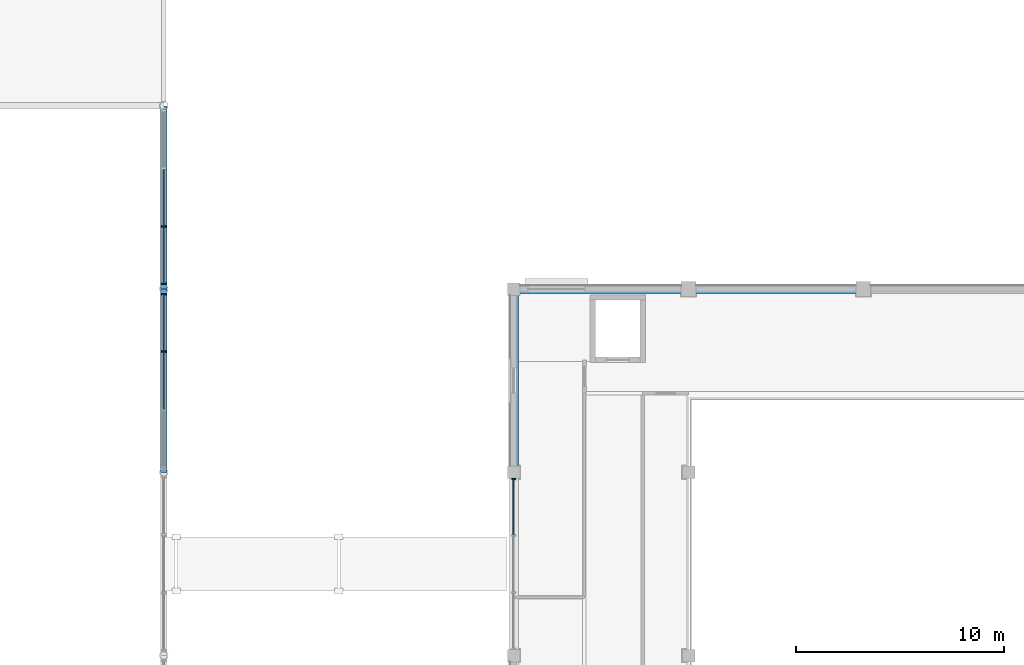
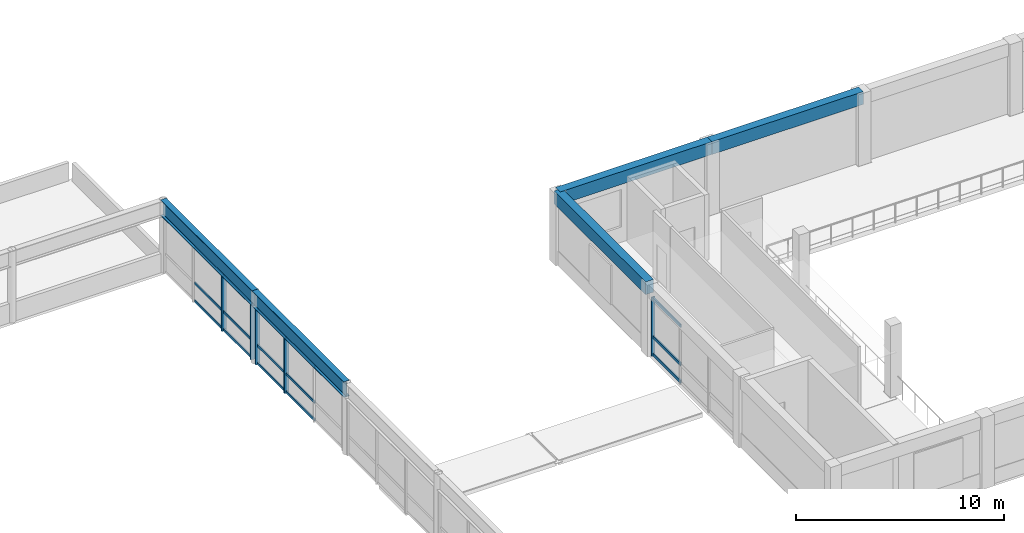
# One storey, part 8 of 46: 20 members, 5 beams, 3 elements without a shape of their own.
"""IFC4 building model written with IfcOpenShell, lengths in metres."""

from ifc_helpers import new_model, si_unit, direction, frame, origin, origin_2d, place, context, subcontext, project, spatial, rectangle, i_section, extrude, material, material_profile, profile_set, type_object, element, aggregate, save


model = new_model("IFC4")

# Units and contexts
model_context = context("Model", 3, precision=1e-05, world=origin(), true_north=direction((0.0, 1.0)))
body_context = subcontext(model_context, "Body", "Model", "MODEL_VIEW")
ifc_project = project(units=[si_unit("LENGTHUNIT", "METRE"), si_unit("AREAUNIT", "SQUARE_METRE"), si_unit("VOLUMEUNIT", "CUBIC_METRE"), si_unit("PLANEANGLEUNIT", "RADIAN"), si_unit("MASSUNIT", "GRAM", prefix="KILO")], contexts=[model_context])

# Site, building, storey
site_placement = place(None, origin())
site = spatial("IfcSite", under=ifc_project, at=site_placement, CompositionType="ELEMENT")
building_placement = place(site_placement, origin())
building = spatial("IfcBuilding", under=site, at=building_placement, Name="Kemercrest Conservatory and Botanical Centre", CompositionType="ELEMENT")
storey_placement = place(building_placement, frame((0.0, 0.0, 9.0)))
storey = spatial("IfcBuildingStorey", under=building, at=storey_placement, Name="L02", CompositionType="ELEMENT", Elevation=9.0)

# Curtain wall, member
ifc_material_1 = material(Name="Thermally broken aluminium and triple low-e glazing", Category="aluminium")
curtain_wall_type_1 = type_object("IfcCurtainWallType", Name="CW-30", PredefinedType="USERDEFINED", material=ifc_material_1)
curtain_wall_1_placement = place(storey_placement, origin())
curtain_wall_1 = element("IfcCurtainWall", 1, at=curtain_wall_1_placement, inside=storey, type_object=curtain_wall_type_1, Name="Unitised curtain wall CW-30 (CW:L02:V2-029)", ObjectType="UNITISED CURTAIN WALL", PredefinedType="USERDEFINED")
ifc_material_2 = material(Name="Thermally broken anodized aluminium 6063-T6", Category="aluminium")
ifc_material_profile_1 = material_profile(ifc_material_2, rectangle(XDim=0.199951171875, YDim=0.06494140625, at=origin_2d()), Name="AL MULLION 65x200")
ifc_profile_set_1 = profile_set([ifc_material_profile_1], Name="Thermally broken anodized aluminium 6063-T6")
member_type_1 = type_object("IfcMemberType", Name="CW-M200", PredefinedType="MULLION", material=ifc_profile_set_1)
member_1_placement = place(storey_placement, frame((58.39990234375, 34.072509765625, 0.0), z_axis=(0.0, 0.0, 1.0), x_axis=(1.0, 0.0, 0.0)))
member_1 = element("IfcMember", 2, at=member_1_placement, type_object=member_type_1, Name="CW-30 mullion 1", PredefinedType="MULLION", context=body_context, shape_type="SweptSolid", body=[
    extrude(rectangle(XDim=0.199951171875, YDim=0.06494140625, at=origin_2d()), origin(), (0.0, 0.0, 1.0), 3.455078125),
])

# Curtain wall, members
curtain_wall_type_2 = type_object("IfcCurtainWallType", Name="CW-24", PredefinedType="USERDEFINED", material=ifc_material_1)
curtain_wall_2_placement = place(storey_placement, origin())
curtain_wall_2 = element("IfcCurtainWall", 3, at=curtain_wall_2_placement, inside=storey, type_object=curtain_wall_type_2, Name="Unitised curtain wall CW-24 (CW:L02:V1-023)", ObjectType="UNITISED CURTAIN WALL", PredefinedType="USERDEFINED")
ifc_material_profile_2 = material_profile(ifc_material_2, rectangle(XDim=0.239990234375, YDim=0.074951171875, at=origin_2d()), Name="AL MULLION 75x240")
ifc_profile_set_2 = profile_set([ifc_material_profile_2], Name="Thermally broken anodized aluminium 6063-T6")
member_type_2 = type_object("IfcMemberType", Name="CW-M225", PredefinedType="MULLION", material=ifc_profile_set_2)
member_2_placement = place(storey_placement, frame((41.60009765625, 40.199951171875, 0.0), z_axis=(0.0, 0.0, 1.0), x_axis=(-1.0, 0.0, 0.0)))
member_2 = element("IfcMember", 4, at=member_2_placement, type_object=member_type_2, Name="CW-24 mullion 3", PredefinedType="MULLION", context=body_context, shape_type="SweptSolid", body=[
    extrude(rectangle(XDim=0.239990234375, YDim=0.074951171875, at=origin_2d()), origin(), (0.0, 0.0, 1.0), 3.278076171875),
])
member_3_placement = place(storey_placement, frame((41.60009765625, 42.96240234375, 0.0), z_axis=(0.0, 0.0, 1.0), x_axis=(-1.0, 0.0, 0.0)))
member_3 = element("IfcMember", 5, at=member_3_placement, type_object=member_type_2, Name="CW-24 mullion 4", PredefinedType="MULLION", context=body_context, shape_type="SweptSolid", body=[
    extrude(rectangle(XDim=0.239990234375, YDim=0.074951171875, at=origin_2d()), origin(), (0.0, 0.0, 1.0), 3.278076171875),
])

curtain_wall_type_3 = type_object("IfcCurtainWallType", Name="CW-25", PredefinedType="USERDEFINED", material=ifc_material_1)
curtain_wall_3_placement = place(storey_placement, origin())
curtain_wall_3 = element("IfcCurtainWall", 6, at=curtain_wall_3_placement, inside=storey, type_object=curtain_wall_type_3, Name="Unitised curtain wall CW-25 (CW:L02:V1-024)", ObjectType="UNITISED CURTAIN WALL", PredefinedType="USERDEFINED")
member_4_placement = place(storey_placement, frame((41.60009765625, 43.4375, 0.0), z_axis=(0.0, 0.0, 1.0), x_axis=(-1.0, 0.0, 0.0)))
member_4 = element("IfcMember", 7, at=member_4_placement, type_object=member_type_2, Name="CW-25 mullion 1", PredefinedType="MULLION", context=body_context, shape_type="SweptSolid", body=[
    extrude(rectangle(XDim=0.239990234375, YDim=0.074951171875, at=origin_2d()), origin(), (0.0, 0.0, 1.0), 3.278076171875),
])
member_5_placement = place(storey_placement, frame((41.60009765625, 46.199951171875, 0.0), z_axis=(0.0, 0.0, 1.0), x_axis=(-1.0, 0.0, 0.0)))
member_5 = element("IfcMember", 8, at=member_5_placement, type_object=member_type_2, Name="CW-25 mullion 2", PredefinedType="MULLION", context=body_context, shape_type="SweptSolid", body=[
    extrude(rectangle(XDim=0.239990234375, YDim=0.074951171875, at=origin_2d()), origin(), (0.0, 0.0, 1.0), 3.278076171875),
])

# Member
ifc_material_profile_3 = material_profile(ifc_material_2, rectangle(XDim=0.074951171875, YDim=0.179931640625, at=origin_2d()), Name="AL TRANSOM 75x180")
ifc_profile_set_3 = profile_set([ifc_material_profile_3], Name="Thermally broken anodized aluminium 6063-T6")
member_type_3 = type_object("IfcMemberType", Name="CW-T180", PredefinedType="USERDEFINED", material=ifc_profile_set_3)
member_6_placement = place(storey_placement, frame((58.39990234375, 34.0400390625, 0.090087890625), z_axis=(0.0, -1.0, 0.0), x_axis=(1.0, 0.0, 0.0)))
member_6 = element("IfcMember", 9, at=member_6_placement, type_object=member_type_3, Name="CW-30 transom 1.1", ObjectType="TRANSOM", PredefinedType="USERDEFINED", context=body_context, shape_type="SweptSolid", body=[
    extrude(rectangle(XDim=0.074951171875, YDim=0.179931640625, at=origin_2d()), origin(), (0.0, 0.0, 1.0), 2.63916015625),
])

member_7_placement = place(storey_placement, frame((58.39990234375, 34.0400390625, 1.1201171875), z_axis=(0.0, -1.0, 0.0), x_axis=(1.0, 0.0, 0.0)))
member_7 = element("IfcMember", 10, at=member_7_placement, type_object=member_type_3, Name="CW-30 transom 1.2", ObjectType="TRANSOM", PredefinedType="USERDEFINED", context=body_context, shape_type="SweptSolid", body=[
    extrude(rectangle(XDim=0.074951171875, YDim=0.179931640625, at=origin_2d()), origin(), (0.0, 0.0, 1.0), 2.63916015625),
])

member_8_placement = place(storey_placement, frame((58.39990234375, 34.0400390625, 3.364990234375), z_axis=(0.0, -1.0, 0.0), x_axis=(1.0, 0.0, 0.0)))
member_8 = element("IfcMember", 11, at=member_8_placement, type_object=member_type_3, Name="CW-30 transom 1.3", ObjectType="TRANSOM", PredefinedType="USERDEFINED", context=body_context, shape_type="SweptSolid", body=[
    extrude(rectangle(XDim=0.074951171875, YDim=0.179931640625, at=origin_2d()), origin(), (0.0, 0.0, 1.0), 2.63916015625),
])

aggregate(curtain_wall_1, [member_1, member_6, member_7, member_8])

ifc_material_profile_4 = material_profile(ifc_material_2, rectangle(XDim=0.06494140625, YDim=0.14990234375, at=origin_2d()), Name="AL TRANSOM 65x150")
ifc_profile_set_4 = profile_set([ifc_material_profile_4], Name="Thermally broken anodized aluminium 6063-T6")
member_type_4 = type_object("IfcMemberType", Name="CW-T200", PredefinedType="USERDEFINED", material=ifc_profile_set_4)
member_9_placement = place(storey_placement, frame((41.60009765625, 37.4375, 0.074951171875), z_axis=(0.0, 1.0, 0.0), x_axis=(-1.0, 0.0, 0.0)))
member_9 = element("IfcMember", 12, at=member_9_placement, type_object=member_type_4, Name="CW-24 transom 2.1", ObjectType="TRANSOM", PredefinedType="USERDEFINED", context=body_context, shape_type="SweptSolid", body=[
    extrude(rectangle(XDim=0.06494140625, YDim=0.14990234375, at=origin_2d()), origin(), (0.0, 0.0, 1.0), 2.72509765625),
])

member_10_placement = place(storey_placement, frame((41.60009765625, 37.4375, 1.1201171875), z_axis=(0.0, 1.0, 0.0), x_axis=(-1.0, 0.0, 0.0)))
member_10 = element("IfcMember", 13, at=member_10_placement, type_object=member_type_4, Name="CW-24 transom 2.2", ObjectType="TRANSOM", PredefinedType="USERDEFINED", context=body_context, shape_type="SweptSolid", body=[
    extrude(rectangle(XDim=0.06494140625, YDim=0.14990234375, at=origin_2d()), origin(), (0.0, 0.0, 1.0), 2.72509765625),
])

member_11_placement = place(storey_placement, frame((41.60009765625, 37.4375, 3.202880859375), z_axis=(0.0, 1.0, 0.0), x_axis=(-1.0, 0.0, 0.0)))
member_11 = element("IfcMember", 14, at=member_11_placement, type_object=member_type_4, Name="CW-24 transom 2.3", ObjectType="TRANSOM", PredefinedType="USERDEFINED", context=body_context, shape_type="SweptSolid", body=[
    extrude(rectangle(XDim=0.06494140625, YDim=0.14990234375, at=origin_2d()), origin(), (0.0, 0.0, 1.0), 2.72509765625),
])

member_12_placement = place(storey_placement, frame((41.60009765625, 40.237548828125, 0.074951171875), z_axis=(0.0, 1.0, 0.0), x_axis=(-1.0, 0.0, 0.0)))
member_12 = element("IfcMember", 15, at=member_12_placement, type_object=member_type_4, Name="CW-24 transom 3.1", ObjectType="TRANSOM", PredefinedType="USERDEFINED", context=body_context, shape_type="SweptSolid", body=[
    extrude(rectangle(XDim=0.06494140625, YDim=0.14990234375, at=origin_2d()), origin(), (0.0, 0.0, 1.0), 2.6875),
])

member_13_placement = place(storey_placement, frame((41.60009765625, 40.237548828125, 1.1201171875), z_axis=(0.0, 1.0, 0.0), x_axis=(-1.0, 0.0, 0.0)))
member_13 = element("IfcMember", 16, at=member_13_placement, type_object=member_type_4, Name="CW-24 transom 3.2", ObjectType="TRANSOM", PredefinedType="USERDEFINED", context=body_context, shape_type="SweptSolid", body=[
    extrude(rectangle(XDim=0.06494140625, YDim=0.14990234375, at=origin_2d()), origin(), (0.0, 0.0, 1.0), 2.6875),
])

member_14_placement = place(storey_placement, frame((41.60009765625, 40.237548828125, 3.202880859375), z_axis=(0.0, 1.0, 0.0), x_axis=(-1.0, 0.0, 0.0)))
member_14 = element("IfcMember", 17, at=member_14_placement, type_object=member_type_4, Name="CW-24 transom 3.3", ObjectType="TRANSOM", PredefinedType="USERDEFINED", context=body_context, shape_type="SweptSolid", body=[
    extrude(rectangle(XDim=0.06494140625, YDim=0.14990234375, at=origin_2d()), origin(), (0.0, 0.0, 1.0), 2.6875),
])

aggregate(curtain_wall_2, [member_2, member_3, member_9, member_10, member_11, member_12, member_13, member_14])

member_15_placement = place(storey_placement, frame((41.60009765625, 43.47509765625, 0.074951171875), z_axis=(0.0, 1.0, 0.0), x_axis=(-1.0, 0.0, 0.0)))
member_15 = element("IfcMember", 18, at=member_15_placement, type_object=member_type_4, Name="CW-25 transom 1.1", ObjectType="TRANSOM", PredefinedType="USERDEFINED", context=body_context, shape_type="SweptSolid", body=[
    extrude(rectangle(XDim=0.06494140625, YDim=0.14990234375, at=origin_2d()), origin(), (0.0, 0.0, 1.0), 2.6875),
])

member_16_placement = place(storey_placement, frame((41.60009765625, 43.47509765625, 1.1201171875), z_axis=(0.0, 1.0, 0.0), x_axis=(-1.0, 0.0, 0.0)))
member_16 = element("IfcMember", 19, at=member_16_placement, type_object=member_type_4, Name="CW-25 transom 1.2", ObjectType="TRANSOM", PredefinedType="USERDEFINED", context=body_context, shape_type="SweptSolid", body=[
    extrude(rectangle(XDim=0.06494140625, YDim=0.14990234375, at=origin_2d()), origin(), (0.0, 0.0, 1.0), 2.6875),
])

member_17_placement = place(storey_placement, frame((41.60009765625, 43.47509765625, 3.202880859375), z_axis=(0.0, 1.0, 0.0), x_axis=(-1.0, 0.0, 0.0)))
member_17 = element("IfcMember", 20, at=member_17_placement, type_object=member_type_4, Name="CW-25 transom 1.3", ObjectType="TRANSOM", PredefinedType="USERDEFINED", context=body_context, shape_type="SweptSolid", body=[
    extrude(rectangle(XDim=0.06494140625, YDim=0.14990234375, at=origin_2d()), origin(), (0.0, 0.0, 1.0), 2.6875),
])

member_18_placement = place(storey_placement, frame((41.60009765625, 46.237548828125, 0.074951171875), z_axis=(0.0, 1.0, 0.0), x_axis=(-1.0, 0.0, 0.0)))
member_18 = element("IfcMember", 21, at=member_18_placement, type_object=member_type_4, Name="CW-25 transom 2.1", ObjectType="TRANSOM", PredefinedType="USERDEFINED", context=body_context, shape_type="SweptSolid", body=[
    extrude(rectangle(XDim=0.06494140625, YDim=0.14990234375, at=origin_2d()), origin(), (0.0, 0.0, 1.0), 2.724853515625),
])

member_19_placement = place(storey_placement, frame((41.60009765625, 46.237548828125, 1.1201171875), z_axis=(0.0, 1.0, 0.0), x_axis=(-1.0, 0.0, 0.0)))
member_19 = element("IfcMember", 22, at=member_19_placement, type_object=member_type_4, Name="CW-25 transom 2.2", ObjectType="TRANSOM", PredefinedType="USERDEFINED", context=body_context, shape_type="SweptSolid", body=[
    extrude(rectangle(XDim=0.06494140625, YDim=0.14990234375, at=origin_2d()), origin(), (0.0, 0.0, 1.0), 2.724853515625),
])

member_20_placement = place(storey_placement, frame((41.60009765625, 46.237548828125, 3.202880859375), z_axis=(0.0, 1.0, 0.0), x_axis=(-1.0, 0.0, 0.0)))
member_20 = element("IfcMember", 23, at=member_20_placement, type_object=member_type_4, Name="CW-25 transom 2.3", ObjectType="TRANSOM", PredefinedType="USERDEFINED", context=body_context, shape_type="SweptSolid", body=[
    extrude(rectangle(XDim=0.06494140625, YDim=0.14990234375, at=origin_2d()), origin(), (0.0, 0.0, 1.0), 2.724853515625),
])

aggregate(curtain_wall_3, [member_4, member_5, member_15, member_16, member_17, member_18, member_19, member_20])

# Beams
ifc_material_3 = material(Name="Steel CSA G40.21 350W", Category="steel")
ifc_material_profile_5 = material_profile(ifc_material_3, i_section(OverallWidth=0.30810546875, OverallDepth=0.927001953125, WebThickness=0.019287109375, FlangeThickness=0.031982421875, FilletRadius=0.02587890625, at=origin_2d()), Name="W920X289")
ifc_profile_set_5 = profile_set([ifc_material_profile_5], Name="Steel CSA G40.21 350W")
beam_type_1 = type_object("IfcBeamType", Name="SP-RB01", PredefinedType="SPANDREL", material=ifc_profile_set_5)
for number, where, z_axis, x_axis, name in (
    (24, (41.60009765625, 34.39990234375, 3.736572265625), (0.0, 1.0, 0.0), (-1.0, 0.0, 0.0), "Conservatory Tension-Compression Ring Beam RB-01"),
    (25, (41.60009765625, 43.199951171875, 3.736572265625), (0.0, 1.0, 0.0), (-1.0, 0.0, 0.0), "Conservatory Tension-Compression Ring Beam RB-01"),
):
    element("IfcBeam", number, at=place(storey_placement, frame(where, z_axis=z_axis, x_axis=x_axis)), inside=storey, type_object=beam_type_1, Name=name, PredefinedType="SPANDREL", context=body_context, shape_type="SweptSolid", body=[
        extrude(i_section(OverallWidth=0.30810546875, OverallDepth=0.927001953125, WebThickness=0.019287109375, FlangeThickness=0.031982421875, FilletRadius=0.02587890625, at=origin_2d()), origin(), (0.0, 0.0, 1.0), 8.800048828125),
    ])
ifc_material_4 = material(Name="Concrete C40/50", Category="concrete")
ifc_material_profile_6 = material_profile(ifc_material_4, rectangle(XDim=0.449951171875, YDim=0.75, at=origin_2d()), Name="RC 450x750")
ifc_profile_set_6 = profile_set([ifc_material_profile_6], Name="Concrete C40/50")
beam_type_2 = type_object("IfcBeamType", Name="SP-RC75", PredefinedType="SPANDREL", material=ifc_profile_set_6)
beam_1_placement = place(storey_placement, frame((58.39990234375, 43.199951171875, 3.824951171875), z_axis=(1.0, 0.0, 0.0), x_axis=(0.0, 1.0, 0.0)))
element("IfcBeam", 26, at=beam_1_placement, inside=storey, type_object=beam_type_2, Name="Auditorium roof ring spandrel beam", PredefinedType="SPANDREL", context=body_context, shape_type="SweptSolid", body=[
    extrude(rectangle(XDim=0.449951171875, YDim=0.75, at=origin_2d()), origin(), (0.0, 0.0, 1.0), 8.400146484375),
])
beam_2_placement = place(storey_placement, frame((66.800048828125, 43.199951171875, 3.824951171875), z_axis=(1.0, 0.0, 0.0), x_axis=(0.0, 1.0, 0.0)))
element("IfcBeam", 27, at=beam_2_placement, inside=storey, type_object=beam_type_2, Name="Auditorium roof ring spandrel beam", PredefinedType="SPANDREL", context=body_context, shape_type="SweptSolid", body=[
    extrude(rectangle(XDim=0.449951171875, YDim=0.75, at=origin_2d()), origin(), (0.0, 0.0, 1.0), 8.39990234375),
])
beam_3_placement = place(storey_placement, frame((58.39990234375, 34.39990234375, 3.824951171875), z_axis=(0.0, 1.0, 0.0), x_axis=(-1.0, 0.0, 0.0)))
element("IfcBeam", 28, at=beam_3_placement, inside=storey, type_object=beam_type_2, Name="Auditorium gable ring spandrel beam", PredefinedType="SPANDREL", context=body_context, shape_type="SweptSolid", body=[
    extrude(rectangle(XDim=0.449951171875, YDim=0.75, at=origin_2d()), origin(), (0.0, 0.0, 1.0), 8.800048828125),
])

save(model, "model.ifc")
